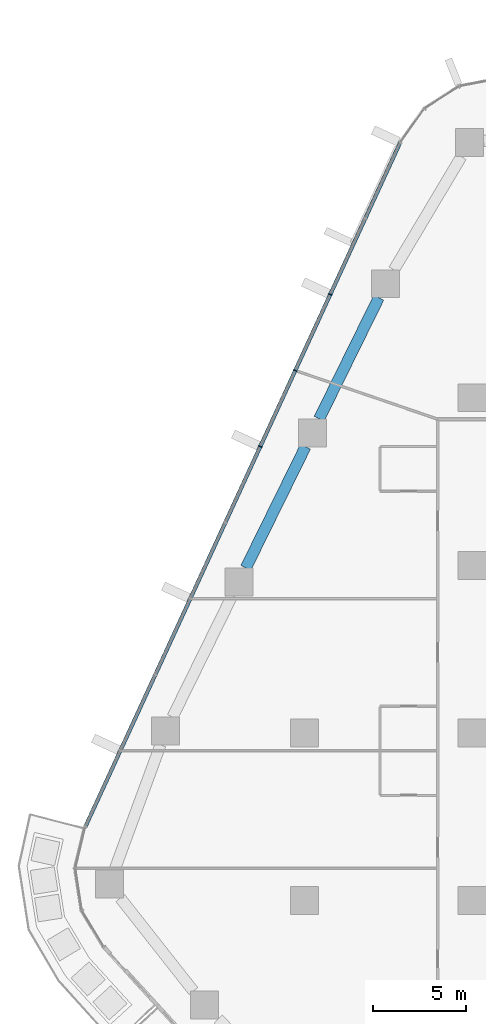
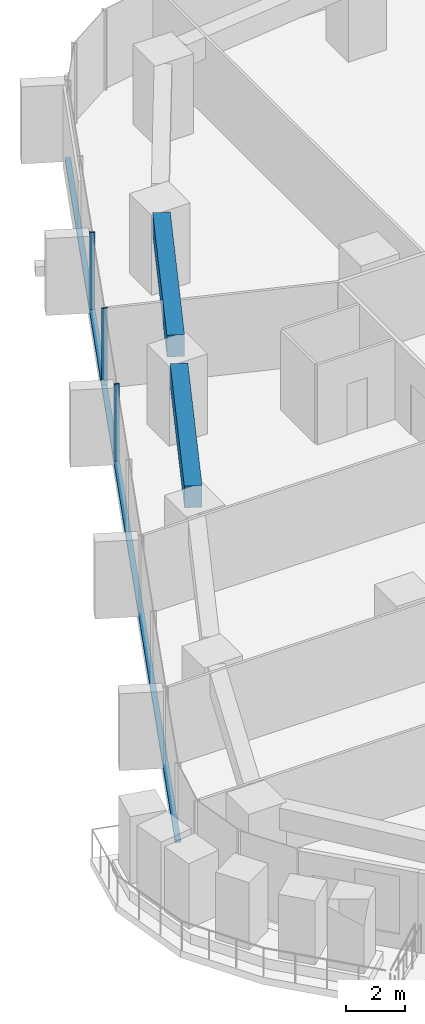
# One storey, part 6 of 26: 4 members, 2 beams, 1 element without a shape of its own.
"""IFC4 building model written with IfcOpenShell, lengths in metres."""

from ifc_helpers import new_model, si_unit, direction, frame, origin, origin_2d, place, context, subcontext, project, spatial, rectangle, extrude, material, layer, layer_set, material_profile, profile_set, type_object, element, aggregate, save


model = new_model("IFC4")

# Units and contexts
model_context = context("Model", 3, precision=1e-05, world=origin(), true_north=direction((0.0, 1.0)))
body_context = subcontext(model_context, "Body", "Model", "MODEL_VIEW")
ifc_project = project(units=[si_unit("LENGTHUNIT", "METRE"), si_unit("AREAUNIT", "SQUARE_METRE"), si_unit("VOLUMEUNIT", "CUBIC_METRE"), si_unit("PLANEANGLEUNIT", "RADIAN"), si_unit("MASSUNIT", "GRAM", prefix="KILO")], contexts=[model_context])

# Site, building, storey
site_placement = place(None, origin())
site = spatial("IfcSite", under=ifc_project, at=site_placement, CompositionType="ELEMENT")
building_placement = place(site_placement, origin())
building = spatial("IfcBuilding", under=site, at=building_placement, Name="Dongbaek Canopy Tower", CompositionType="ELEMENT")
storey_placement = place(building_placement, frame((0.0, 0.0, 69.89990234375)))
storey = spatial("IfcBuildingStorey", under=building, at=storey_placement, Name="L13", CompositionType="ELEMENT", Elevation=69.89990234375)

# Curtain wall, members
ifc_material_1 = material(Name="Aluminium 6063-T6 pale anodised", Category="aluminium")
ifc_layer = layer(ifc_material_1, 0.199951171875)
ifc_layer_set = layer_set([ifc_layer], Name="CW-1 unitised tower curtain wall")
curtain_wall_type = type_object("IfcCurtainWallType", Name="CW-1 unitised tower curtain wall", PredefinedType="NOTDEFINED", material=ifc_layer_set)
curtain_wall_placement = place(storey_placement, origin())
curtain_wall = element("IfcCurtainWall", 1, at=curtain_wall_placement, inside=storey, type_object=curtain_wall_type, Name="CW-1 curtain wall F2.1", PredefinedType="NOTDEFINED")
ifc_material_2 = material(Name="Aluminium 6063-T6 pale anodised", Category="aluminium")
ifc_material_profile_1 = material_profile(ifc_material_2, rectangle(XDim=0.199951171875, YDim=0.06005859375, at=origin_2d()), Name="CW-1 mullion 60 x 200")
ifc_profile_set_1 = profile_set([ifc_material_profile_1], Name="Aluminium 6063-T6 pale anodised")
member_type_1 = type_object("IfcMemberType", Name="CW-1 mullion 60 x 200", PredefinedType="MULLION", material=ifc_profile_set_1)
member_1_placement = place(storey_placement, frame((-25.623046875, 23.5498046875, 0.1201171875), z_axis=(0.0, 0.0, 1.0), x_axis=(-0.908435687115, 0.418024643264, 0.0)))
member_1 = element("IfcMember", 2, at=member_1_placement, type_object=member_type_1, Name="CW-1 mullion F2.1.3", PredefinedType="MULLION", context=body_context, shape_type="SweptSolid", body=[
    extrude(rectangle(XDim=0.199951171875, YDim=0.06005859375, at=origin_2d()), origin(), (0.0, 0.0, 1.0), 3.179931640625),
])
member_2_placement = place(storey_placement, frame((-27.502685546875, 19.465087890625, 0.1201171875), z_axis=(0.0, 0.0, 1.0), x_axis=(-0.908435687115, 0.418024643264, 0.0)))
member_2 = element("IfcMember", 3, at=member_2_placement, type_object=member_type_1, Name="CW-1 mullion F2.1.4", PredefinedType="MULLION", context=body_context, shape_type="SweptSolid", body=[
    extrude(rectangle(XDim=0.199951171875, YDim=0.06005859375, at=origin_2d()), origin(), (0.0, 0.0, 1.0), 3.179931640625),
])
member_3_placement = place(storey_placement, frame((-29.38232421875, 15.380126953125, 0.1201171875), z_axis=(0.0, 0.0, 1.0), x_axis=(-0.908435687115, 0.418024643264, 0.0)))
member_3 = element("IfcMember", 4, at=member_3_placement, type_object=member_type_1, Name="CW-1 mullion F2.1.5", PredefinedType="MULLION", context=body_context, shape_type="SweptSolid", body=[
    extrude(rectangle(XDim=0.199951171875, YDim=0.06005859375, at=origin_2d()), origin(), (0.0, 0.0, 1.0), 3.179931640625),
])
ifc_material_3 = material(Name="Aluminium 6063-T6 pale anodised", Category="aluminium")
ifc_material_profile_2 = material_profile(ifc_material_3, rectangle(XDim=0.199951171875, YDim=0.1201171875, at=origin_2d()), Name="CW-1 transom 120 x 200")
ifc_profile_set_2 = profile_set([ifc_material_profile_2], Name="Aluminium 6063-T6 pale anodised")
member_type_2 = type_object("IfcMemberType", Name="CW-1 transom 120 x 200", PredefinedType="USERDEFINED", material=ifc_profile_set_2)
member_4_placement = place(storey_placement, frame((-21.86767578125, 31.7109375, 0.06005859375), z_axis=(-0.418022571497, -0.908436640454, 0.0), x_axis=(0.908436640454, -0.418022571497, 0.0)))
member_4 = element("IfcMember", 5, at=member_4_placement, type_object=member_type_2, Name="CW-1 transom F2.1.1", ObjectType="TRANSOM", PredefinedType="USERDEFINED", context=body_context, shape_type="SweptSolid", body=[
    extrude(rectangle(XDim=0.199951171875, YDim=0.1201171875, at=origin_2d()), origin(), (0.0, 0.0, 1.0), 40.44970703125),
])
aggregate(curtain_wall, [member_1, member_2, member_3, member_4])

# Beams
ifc_material_4 = material(Name="Concrete C80", Category="concrete")
ifc_material_profile_3 = material_profile(ifc_material_4, rectangle(XDim=0.60009765625, YDim=0.89990234375, at=origin_2d()), Name="RC EDGE BEAM 600x900 C80")
ifc_profile_set_3 = profile_set([ifc_material_profile_3], Name="Concrete C80")
beam_type = type_object("IfcBeamType", Name="RC EDGE BEAM 600x900 C80", PredefinedType="BEAM", material=ifc_profile_set_3)
for number, where, z_axis, x_axis, name in (
    (6, (-30.156005859375, 8.861083984375, 2.85009765625), (0.441413427837, 0.897303842477, 0.0), (-0.897303842477, 0.441413427837, 0.0), "EDGEBEAM:L13:10"),
    (7, (-26.217041015625, 16.867919921875, 2.85009765625), (0.441318766596, 0.897350403271, 0.0), (-0.897350403271, 0.441318766596, 0.0), "EDGEBEAM:L13:11"),
):
    element("IfcBeam", number, at=place(storey_placement, frame(where, z_axis=z_axis, x_axis=x_axis)), inside=storey, type_object=beam_type, Name=name, PredefinedType="BEAM", context=body_context, shape_type="SweptSolid", body=[
        extrude(rectangle(XDim=0.60009765625, YDim=0.89990234375, at=origin_2d()), origin(), (0.0, 0.0, 1.0), 7.25146484375),
    ])

save(model, "model.ifc")
